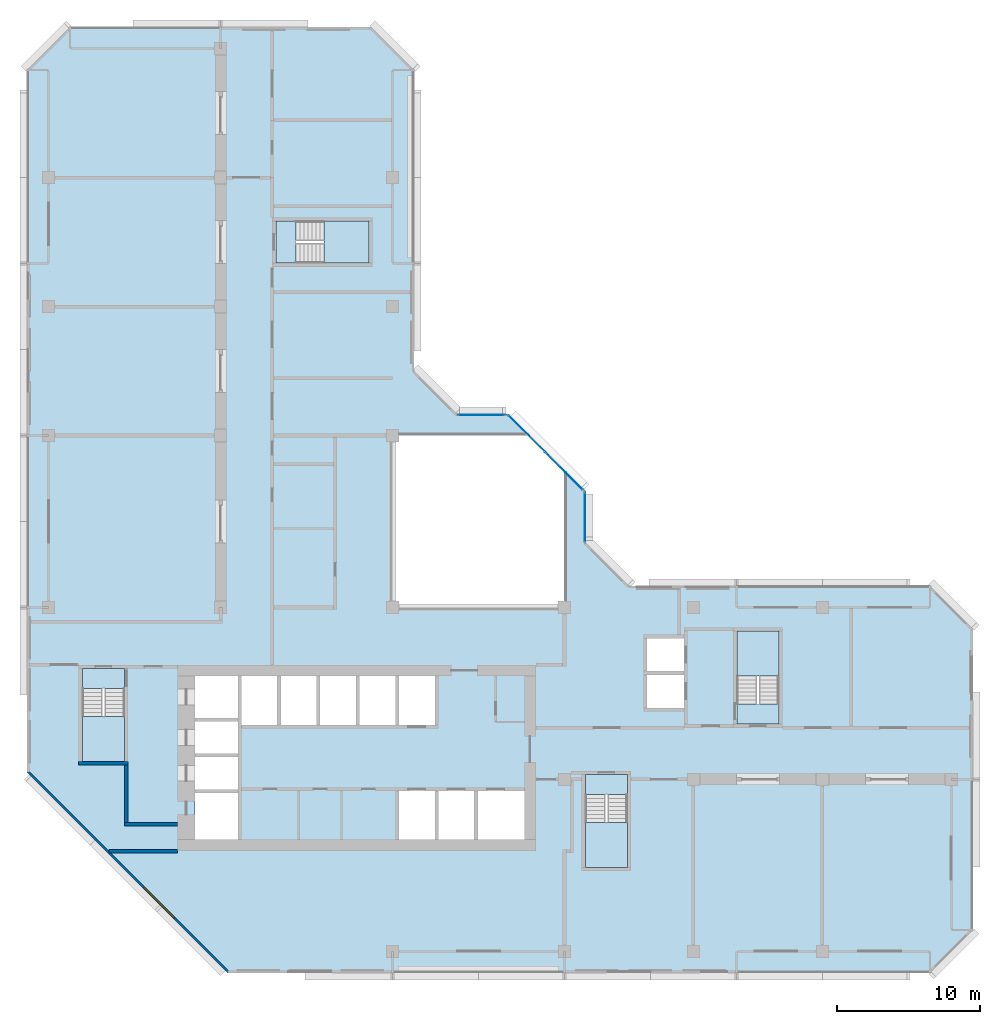
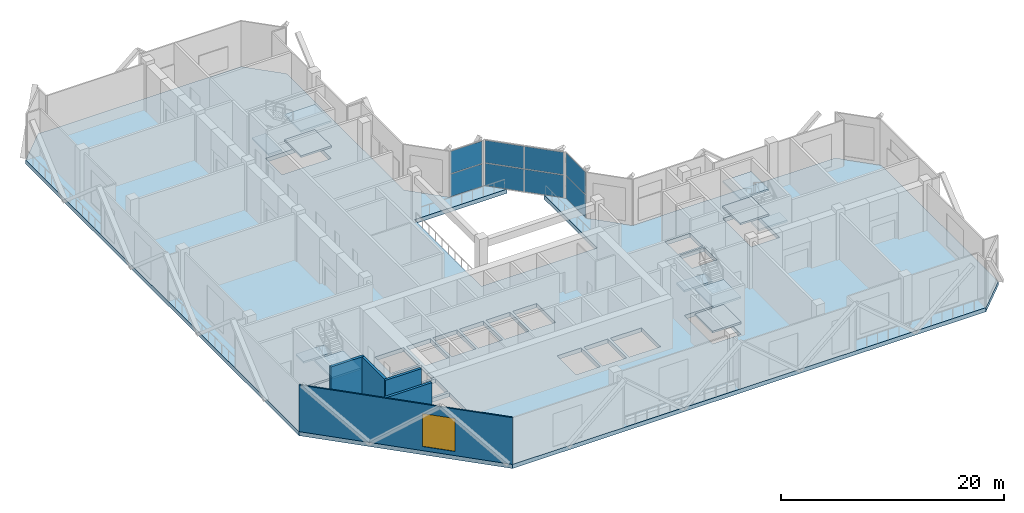
# One storey, part 3 of 11: 13 slabs, 8 plates, 5 walls, 1 window, 1 opening, 7 elements without a shape of their own.
"""IFC4 building model written with IfcOpenShell, lengths in metres."""

from ifc_helpers import new_model, si_unit, direction, frame, frame_2d, origin, origin_2d, place, context, subcontext, project, spatial, polyline, rectangle, outline, extrude, material, layer, layer_set, type_object, element, fill, aggregate, save


model = new_model("IFC4")

# Units and contexts
model_context = context("Model", 3, precision=1e-05, world=origin(), true_north=direction((0.0, 1.0)))
body_context = subcontext(model_context, "Body", "Model", "MODEL_VIEW")
ifc_project = project(units=[si_unit("LENGTHUNIT", "METRE"), si_unit("AREAUNIT", "SQUARE_METRE"), si_unit("VOLUMEUNIT", "CUBIC_METRE"), si_unit("PLANEANGLEUNIT", "RADIAN"), si_unit("MASSUNIT", "GRAM", prefix="KILO")], contexts=[model_context])

# Site, building, storey
site_placement = place(None, origin())
site = spatial("IfcSite", under=ifc_project, at=site_placement, CompositionType="ELEMENT")
building_placement = place(site_placement, origin())
building = spatial("IfcBuilding", under=site, at=building_placement, Name="Chenar Terraces", CompositionType="ELEMENT")
storey_placement = place(building_placement, frame((0.0, 0.0, 206.14990234375)))
storey = spatial("IfcBuildingStorey", under=building, at=storey_placement, Name="L48", CompositionType="ELEMENT", Elevation=206.14990234375)

# Curtain wall, plates
ifc_material_1 = material(Name="Aluminium framed glazing", Category="aluminium")
ifc_layer_1 = layer(ifc_material_1, 0.14990234375)
ifc_layer_set_1 = layer_set([ifc_layer_1], Name="Aluminium framed glazing")
curtain_wall_type = type_object("IfcCurtainWallType", Name="Atrium mid-zone curtain wall", PredefinedType="NOTDEFINED", material=ifc_layer_set_1)
placement_1 = place(storey_placement, origin())
curtain_wall_1 = element("IfcCurtainWall", 1, at=placement_1, inside=storey, type_object=curtain_wall_type, Name="Atrium mid-zone curtain wall", PredefinedType="NOTDEFINED")
ifc_material_2 = material(Name="Low emissivity laminated glass, solar control coating", Category="glass")
ifc_layer_2 = layer(ifc_material_2, 0.031982421875)
ifc_layer_set_2 = layer_set([ifc_layer_2], Name="Low emissivity laminated glass, solar control coating")
plate_type = type_object("IfcPlateType", Name="Atrium mid-zone glazing panel 32", PredefinedType="CURTAIN_PANEL", material=ifc_layer_set_2)
plate_1_placement = place(storey_placement, frame((37.425048828125, 30.300048828125, 0.06982421875), z_axis=(0.0, 0.0, 1.0), x_axis=(0.0, 1.0, 0.0)))
plate_1 = element("IfcPlate", 2, at=plate_1_placement, type_object=plate_type, Name="CW7-1 panel 1.1", PredefinedType="CURTAIN_PANEL", context=body_context, shape_type="SweptSolid", body=[
    extrude(rectangle(XDim=3.4599609375, YDim=0.031982421875, at=origin_2d()), origin(), (0.0, 0.0, 1.0), 2.445068359375),
])
plate_2_placement = place(storey_placement, frame((37.425048828125, 30.300048828125, 2.5849609375), z_axis=(0.0, 0.0, 1.0), x_axis=(0.0, 1.0, 0.0)))
plate_2 = element("IfcPlate", 3, at=plate_2_placement, type_object=plate_type, Name="CW7-1 panel 1.2", PredefinedType="CURTAIN_PANEL", context=body_context, shape_type="SweptSolid", body=[
    extrude(rectangle(XDim=3.4599609375, YDim=0.031982421875, at=origin_2d()), origin(), (0.0, 0.0, 1.0), 2.445068359375),
])
aggregate(curtain_wall_1, [plate_1, plate_2])

curtain_wall_2 = element("IfcCurtainWall", 4, at=placement_1, inside=storey, type_object=curtain_wall_type, Name="Atrium mid-zone curtain wall", PredefinedType="NOTDEFINED")
plate_3_placement = place(storey_placement, frame((35.978515625, 33.515380859375, 0.06982421875), z_axis=(0.0, 0.0, 1.0), x_axis=(-0.707106781187, 0.707106781187, 0.0)))
plate_3 = element("IfcPlate", 5, at=plate_3_placement, type_object=plate_type, Name="CW7-2 panel 1.1", PredefinedType="CURTAIN_PANEL", context=body_context, shape_type="SweptSolid", body=[
    extrude(rectangle(XDim=3.61328125, YDim=0.031982421875, at=origin_2d()), origin(), (0.0, 0.0, 1.0), 2.445068359375),
])
plate_4_placement = place(storey_placement, frame((35.978515625, 33.515380859375, 2.5849609375), z_axis=(0.0, 0.0, 1.0), x_axis=(-0.707106781187, 0.707106781187, 0.0)))
plate_4 = element("IfcPlate", 6, at=plate_4_placement, type_object=plate_type, Name="CW7-2 panel 1.2", PredefinedType="CURTAIN_PANEL", context=body_context, shape_type="SweptSolid", body=[
    extrude(rectangle(XDim=3.61328125, YDim=0.031982421875, at=origin_2d()), origin(), (0.0, 0.0, 1.0), 2.445068359375),
])
plate_5_placement = place(storey_placement, frame((33.3740234375, 36.119873046875, 0.06982421875), z_axis=(0.0, 0.0, 1.0), x_axis=(-0.707106781187, 0.707106781187, 0.0)))
plate_5 = element("IfcPlate", 7, at=plate_5_placement, type_object=plate_type, Name="CW7-2 panel 2.1", PredefinedType="CURTAIN_PANEL", context=body_context, shape_type="SweptSolid", body=[
    extrude(rectangle(XDim=3.61328125, YDim=0.031982421875, at=origin_2d()), origin(), (0.0, 0.0, 1.0), 2.445068359375),
])
plate_6_placement = place(storey_placement, frame((33.3740234375, 36.119873046875, 2.5849609375), z_axis=(0.0, 0.0, 1.0), x_axis=(-0.707106781187, 0.707106781187, 0.0)))
plate_6 = element("IfcPlate", 8, at=plate_6_placement, type_object=plate_type, Name="CW7-2 panel 2.2", PredefinedType="CURTAIN_PANEL", context=body_context, shape_type="SweptSolid", body=[
    extrude(rectangle(XDim=3.61328125, YDim=0.031982421875, at=origin_2d()), origin(), (0.0, 0.0, 1.0), 2.445068359375),
])
aggregate(curtain_wall_2, [plate_3, plate_4, plate_5, plate_6])

curtain_wall_3 = element("IfcCurtainWall", 9, at=placement_1, inside=storey, type_object=curtain_wall_type, Name="Atrium mid-zone curtain wall", PredefinedType="NOTDEFINED")
plate_7_placement = place(storey_placement, frame((30.199951171875, 37.425048828125, 0.06982421875), z_axis=(0.0, 0.0, 1.0), x_axis=(-1.0, 0.0, 0.0)))
plate_7 = element("IfcPlate", 10, at=plate_7_placement, type_object=plate_type, Name="CW7-3 panel 1.1", PredefinedType="CURTAIN_PANEL", context=body_context, shape_type="SweptSolid", body=[
    extrude(rectangle(XDim=3.260009765625, YDim=0.031982421875, at=origin_2d()), origin(), (0.0, 0.0, 1.0), 2.445068359375),
])
plate_8_placement = place(storey_placement, frame((30.199951171875, 37.425048828125, 2.5849609375), z_axis=(0.0, 0.0, 1.0), x_axis=(-1.0, 0.0, 0.0)))
plate_8 = element("IfcPlate", 11, at=plate_8_placement, type_object=plate_type, Name="CW7-3 panel 1.2", PredefinedType="CURTAIN_PANEL", context=body_context, shape_type="SweptSolid", body=[
    extrude(rectangle(XDim=3.260009765625, YDim=0.031982421875, at=origin_2d()), origin(), (0.0, 0.0, 1.0), 2.445068359375),
])
aggregate(curtain_wall_3, [plate_7, plate_8])

# Stair, slabs
ifc_material_3 = material(Name="Reinforced concrete C40/50", Category="concrete")
stair_type = type_object("IfcStairType", Name="Core stair 1400 half-turn", PredefinedType="HALF_TURN_STAIR", material=ifc_material_3)
stair_1 = element("IfcStair", 12, at=placement_1, inside=storey, type_object=stair_type, Name="L48 Stair 1", PredefinedType="HALF_TURN_STAIR")
ifc_material_4 = material(Name="Reinforced concrete C40/50", Category="concrete")
ifc_layer_3 = layer(ifc_material_4, 0.199951171875)
ifc_layer_set_3 = layer_set([ifc_layer_3], Name="Reinforced concrete C40/50")
slab_type_1 = type_object("IfcSlabType", Name="Core stair landing 200", PredefinedType="LANDING", material=ifc_layer_set_3)
placement_2 = place(storey_placement, frame((0.0, 0.0, 1.175048828125)))
slab_1 = element("IfcSlab", 13, at=placement_2, type_object=slab_type_1, Name="ST1 landing 1", PredefinedType="LANDING", context=body_context, shape_type="SweptSolid", body=[
    extrude(outline(polyline([(2.35009765625, 16.389892578125), (2.35009765625, 13.25), (5.300048828125, 13.25), (5.300048828125, 16.389892578125), (2.35009765625, 16.389892578125)])), origin(), (0.0, 0.0, 1.0), 0.199951171875),
])
placement_3 = place(storey_placement, frame((0.0, 0.0, 2.550048828125)))
slab_2 = element("IfcSlab", 14, at=placement_3, type_object=slab_type_1, Name="ST1 landing 2", PredefinedType="LANDING", context=body_context, shape_type="SweptSolid", body=[
    extrude(outline(polyline([(2.35009765625, 19.75), (2.35009765625, 18.35009765625), (5.300048828125, 18.35009765625), (5.300048828125, 19.75), (2.35009765625, 19.75)])), origin(), (0.0, 0.0, 1.0), 0.199951171875),
])
placement_4 = place(storey_placement, frame((0.0, 0.0, 3.925048828125)))
slab_3 = element("IfcSlab", 15, at=placement_4, type_object=slab_type_1, Name="ST1 landing 3", PredefinedType="LANDING", context=body_context, shape_type="SweptSolid", body=[
    extrude(outline(polyline([(2.35009765625, 16.389892578125), (2.35009765625, 13.25), (5.300048828125, 13.25), (5.300048828125, 16.389892578125), (2.35009765625, 16.389892578125)])), origin(), (0.0, 0.0, 1.0), 0.199951171875),
])
aggregate(stair_1, [slab_1, slab_2, slab_3])

stair_2 = element("IfcStair", 16, at=placement_1, inside=storey, type_object=stair_type, Name="L48 Stair 2", PredefinedType="HALF_TURN_STAIR")
slab_4 = element("IfcSlab", 17, at=placement_2, type_object=slab_type_1, Name="ST2 landing 1", PredefinedType="LANDING", context=body_context, shape_type="SweptSolid", body=[
    extrude(outline(polyline([(37.449951171875, 8.989990234375), (37.449951171875, 5.85009765625), (40.39990234375, 5.85009765625), (40.39990234375, 8.989990234375), (37.449951171875, 8.989990234375)])), origin(), (0.0, 0.0, 1.0), 0.199951171875),
])
slab_5 = element("IfcSlab", 18, at=placement_3, type_object=slab_type_1, Name="ST2 landing 2", PredefinedType="LANDING", context=body_context, shape_type="SweptSolid", body=[
    extrude(outline(polyline([(37.449951171875, 12.35009765625), (37.449951171875, 10.949951171875), (40.39990234375, 10.949951171875), (40.39990234375, 12.35009765625), (37.449951171875, 12.35009765625)])), origin(), (0.0, 0.0, 1.0), 0.199951171875),
])
slab_6 = element("IfcSlab", 19, at=placement_4, type_object=slab_type_1, Name="ST2 landing 3", PredefinedType="LANDING", context=body_context, shape_type="SweptSolid", body=[
    extrude(outline(polyline([(37.449951171875, 8.989990234375), (37.449951171875, 5.85009765625), (40.39990234375, 5.85009765625), (40.39990234375, 8.989990234375), (37.449951171875, 8.989990234375)])), origin(), (0.0, 0.0, 1.0), 0.199951171875),
])
aggregate(stair_2, [slab_4, slab_5, slab_6])

stair_3 = element("IfcStair", 20, at=placement_1, inside=storey, type_object=stair_type, Name="L48 Stair 3", PredefinedType="HALF_TURN_STAIR")
slab_7 = element("IfcSlab", 21, at=placement_2, type_object=slab_type_1, Name="ST3 landing 1", PredefinedType="LANDING", context=body_context, shape_type="SweptSolid", body=[
    extrude(outline(polyline([(50.97509765625, 19.2099609375), (50.97509765625, 22.35009765625), (48.02490234375, 22.35009765625), (48.02490234375, 19.2099609375), (50.97509765625, 19.2099609375)])), origin(), (0.0, 0.0, 1.0), 0.199951171875),
])
slab_8 = element("IfcSlab", 22, at=placement_3, type_object=slab_type_1, Name="ST3 landing 2", PredefinedType="LANDING", context=body_context, shape_type="SweptSolid", body=[
    extrude(outline(polyline([(50.97509765625, 15.85009765625), (50.97509765625, 17.25), (48.02490234375, 17.25), (48.02490234375, 15.85009765625), (50.97509765625, 15.85009765625)])), origin(), (0.0, 0.0, 1.0), 0.199951171875),
])
slab_9 = element("IfcSlab", 23, at=placement_4, type_object=slab_type_1, Name="ST3 landing 3", PredefinedType="LANDING", context=body_context, shape_type="SweptSolid", body=[
    extrude(outline(polyline([(50.97509765625, 19.2099609375), (50.97509765625, 22.35009765625), (48.02490234375, 22.35009765625), (48.02490234375, 19.2099609375), (50.97509765625, 19.2099609375)])), origin(), (0.0, 0.0, 1.0), 0.199951171875),
])
aggregate(stair_3, [slab_7, slab_8, slab_9])

stair_4 = element("IfcStair", 24, at=placement_1, inside=storey, type_object=stair_type, Name="L48 Stair 4", PredefinedType="HALF_TURN_STAIR")
slab_10 = element("IfcSlab", 25, at=placement_2, type_object=slab_type_1, Name="ST4 landing 1", PredefinedType="LANDING", context=body_context, shape_type="SweptSolid", body=[
    extrude(outline(polyline([(19.2099609375, 48.02490234375), (22.35009765625, 48.02490234375), (22.35009765625, 50.97509765625), (19.2099609375, 50.97509765625), (19.2099609375, 48.02490234375)])), origin(), (0.0, 0.0, 1.0), 0.199951171875),
])
slab_11 = element("IfcSlab", 26, at=placement_3, type_object=slab_type_1, Name="ST4 landing 2", PredefinedType="LANDING", context=body_context, shape_type="SweptSolid", body=[
    extrude(outline(polyline([(15.85009765625, 48.02490234375), (17.25, 48.02490234375), (17.25, 50.97509765625), (15.85009765625, 50.97509765625), (15.85009765625, 48.02490234375)])), origin(), (0.0, 0.0, 1.0), 0.199951171875),
])
slab_12 = element("IfcSlab", 27, at=placement_4, type_object=slab_type_1, Name="ST4 landing 3", PredefinedType="LANDING", context=body_context, shape_type="SweptSolid", body=[
    extrude(outline(polyline([(19.2099609375, 48.02490234375), (22.35009765625, 48.02490234375), (22.35009765625, 50.97509765625), (19.2099609375, 50.97509765625), (19.2099609375, 48.02490234375)])), origin(), (0.0, 0.0, 1.0), 0.199951171875),
])
aggregate(stair_4, [slab_10, slab_11, slab_12])

# Slab
ifc_material_5 = material(Name="Concrete C40/50", Category="concrete")
ifc_layer_4 = layer(ifc_material_5, 0.449951171875)
ifc_layer_set_4 = layer_set([ifc_layer_4], Name="Concrete C40/50")
slab_type_2 = type_object("IfcSlabType", Name="Floor slab 450 Concrete C40/50", PredefinedType="FLOOR", material=ifc_layer_set_4)
slab_13_placement = place(storey_placement, frame((0.0, 0.0, -0.449951171875)))
element("IfcSlab", 28, at=slab_13_placement, inside=storey, type_object=slab_type_2, Name="Floor slab L48", PredefinedType="FLOOR", context=body_context, shape_type="SweptSolid", body=[
    extrude(outline(polyline([(64.5, 22.5), (64.5, 1.5), (61.5, -1.5), (12.5, -1.5), (-1.5, 12.5), (-1.5, 61.5), (1.5, 64.5), (22.5, 64.5), (25.5, 61.5), (25.5, 40.5), (28.5, 37.5), (32.10009765625, 37.5), (33.60009765625, 36.0), (24.0, 36.0), (24.0, 24.0), (36.0, 24.0), (36.0, 33.60009765625), (37.5, 32.10009765625), (37.5, 28.5), (40.5, 25.5), (61.5, 25.5), (64.5, 22.5)]), holes=[polyline([(13.199951171875, 11.050048828125), (10.199951171875, 11.050048828125), (10.199951171875, 7.800048828125), (13.199951171875, 7.800048828125), (13.199951171875, 11.050048828125)]), polyline([(13.199951171875, 13.550048828125), (10.199951171875, 13.550048828125), (10.199951171875, 11.300048828125), (13.199951171875, 11.300048828125), (13.199951171875, 13.550048828125)]), polyline([(13.199951171875, 16.050048828125), (10.199951171875, 16.050048828125), (10.199951171875, 13.800048828125), (13.199951171875, 13.800048828125), (13.199951171875, 16.050048828125)]), polyline([(2.35009765625, 13.25), (5.300048828125, 13.25), (5.300048828125, 18.35009765625), (2.35009765625, 18.35009765625), (2.35009765625, 13.25)]), polyline([(15.949951171875, 19.199951171875), (13.449951171875, 19.199951171875), (13.449951171875, 15.800048828125), (15.949951171875, 15.800048828125), (15.949951171875, 19.199951171875)]), polyline([(18.699951171875, 19.199951171875), (16.199951171875, 19.199951171875), (16.199951171875, 15.800048828125), (18.699951171875, 15.800048828125), (18.699951171875, 19.199951171875)]), polyline([(21.449951171875, 19.199951171875), (18.949951171875, 19.199951171875), (18.949951171875, 15.800048828125), (21.449951171875, 15.800048828125), (21.449951171875, 19.199951171875)]), polyline([(24.199951171875, 15.800048828125), (24.199951171875, 19.199951171875), (21.699951171875, 19.199951171875), (21.699951171875, 15.800048828125), (24.199951171875, 15.800048828125)]), polyline([(13.199951171875, 16.300048828125), (13.199951171875, 19.199951171875), (10.199951171875, 19.199951171875), (10.199951171875, 16.300048828125), (13.199951171875, 16.300048828125)]), polyline([(22.35009765625, 48.02490234375), (22.35009765625, 50.97509765625), (17.25, 50.97509765625), (17.25, 48.02490234375), (22.35009765625, 48.02490234375)]), polyline([(37.449951171875, 5.85009765625), (40.39990234375, 5.85009765625), (40.39990234375, 10.949951171875), (37.449951171875, 10.949951171875), (37.449951171875, 5.85009765625)]), polyline([(26.949951171875, 11.199951171875), (24.449951171875, 11.199951171875), (24.449951171875, 7.800048828125), (26.949951171875, 7.800048828125), (26.949951171875, 11.199951171875)]), polyline([(29.699951171875, 7.800048828125), (29.699951171875, 11.199951171875), (27.199951171875, 11.199951171875), (27.199951171875, 7.800048828125), (29.699951171875, 7.800048828125)]), polyline([(33.199951171875, 7.800048828125), (33.199951171875, 11.199951171875), (29.949951171875, 11.199951171875), (29.949951171875, 7.800048828125), (33.199951171875, 7.800048828125)]), polyline([(26.949951171875, 19.199951171875), (24.449951171875, 19.199951171875), (24.449951171875, 15.800048828125), (26.949951171875, 15.800048828125), (26.949951171875, 19.199951171875)]), polyline([(44.35009765625, 19.300048828125), (41.75, 19.300048828125), (41.75, 17.0), (44.35009765625, 17.0), (44.35009765625, 19.300048828125)]), polyline([(50.97509765625, 22.35009765625), (48.02490234375, 22.35009765625), (48.02490234375, 17.25), (50.97509765625, 17.25), (50.97509765625, 22.35009765625)]), polyline([(44.35009765625, 19.550048828125), (44.35009765625, 21.85009765625), (41.75, 21.85009765625), (41.75, 19.550048828125), (44.35009765625, 19.550048828125)])]), origin(), (0.0, 0.0, 1.0), 0.449951171875),
])

# Walls
ifc_material_6 = material(Name="Concrete C60/75", Category="concrete")
ifc_layer_5 = layer(ifc_material_6, 0.25)
ifc_layer_set_5 = layer_set([ifc_layer_5], Name="Concrete C60/75")
wall_type_1 = type_object("IfcWallType", Name="Core wall 250 Concrete C60/75", PredefinedType="SHEAR", material=ifc_layer_set_5)
wall_1_placement = place(storey_placement, frame((2.10009765625, 13.125, 0.0), z_axis=(0.0, 0.0, 1.0), x_axis=(1.0, 0.0, 0.0)))
element("IfcWall", 29, at=wall_1_placement, inside=storey, type_object=wall_type_1, Name="Core wall ST1_S L48", PredefinedType="SHEAR", context=body_context, shape_type="SweptSolid", body=[
    extrude(rectangle(XDim=3.449951171875, YDim=0.25, at=frame_2d((1.72509765625, 0.0))), origin(), (0.0, 0.0, 1.0), 5.5),
])
wall_2_placement = place(storey_placement, frame((5.300048828125, 8.875, 0.0), z_axis=(0.0, 0.0, 1.0), x_axis=(1.0, 0.0, 0.0)))
element("IfcWall", 30, at=wall_2_placement, inside=storey, type_object=wall_type_1, Name="Core wall FFL_S L48", PredefinedType="SHEAR", context=body_context, shape_type="SweptSolid", body=[
    extrude(rectangle(XDim=3.699951171875, YDim=0.25, at=frame_2d((1.85009765625, 0.0))), origin(), (0.0, 0.0, 1.0), 5.5),
])
wall_3_placement = place(storey_placement, frame((5.425048828125, 9.0, 0.0), z_axis=(0.0, 0.0, 1.0), x_axis=(0.0, 1.0, 0.0)))
element("IfcWall", 31, at=wall_3_placement, inside=storey, type_object=wall_type_1, Name="Core wall FFL_W L48", PredefinedType="SHEAR", context=body_context, shape_type="SweptSolid", body=[
    extrude(rectangle(XDim=4.0, YDim=0.25, at=frame_2d((2.0, 0.0))), origin(), (0.0, 0.0, 1.0), 5.5),
])
ifc_material_7 = material(Name="Fire-board and steel stud wall with mineral wool", Category="steel")
ifc_layer_6 = layer(ifc_material_7, 0.25)
ifc_layer_set_6 = layer_set([ifc_layer_6], Name="Fire-board and steel stud wall with mineral wool")
wall_type_2 = type_object("IfcWallType", Name="Refuge compartment wall 250", PredefinedType="PARTITIONING", material=ifc_layer_set_6)
wall_4_placement = place(storey_placement, frame((4.2109375, 7.0, 0.0), z_axis=(0.0, 0.0, 1.0), x_axis=(1.0, 0.0, 0.0)))
element("IfcWall", 32, at=wall_4_placement, inside=storey, type_object=wall_type_2, Name="Partition L48-006", PredefinedType="PARTITIONING", context=body_context, shape_type="SweptSolid", body=[
    extrude(rectangle(XDim=4.7890625, YDim=0.25, at=frame_2d((2.39453125, 0.0))), origin(), (0.0, 0.0, 1.0), 5.10009765625),
])

# Wall, opening, window
ifc_material_8 = material(Name="Terracotta cladding on insulated backing", Category="masonry")
ifc_layer_7 = layer(ifc_material_8, 0.14990234375)
ifc_layer_set_7 = layer_set([ifc_layer_7], Name="Terracotta cladding on insulated backing")
wall_type_3 = type_object("IfcWallType", Name="Terracotta rainscreen wall 150", PredefinedType="SOLIDWALL", material=ifc_layer_set_7)
wall_5_placement = place(storey_placement, frame((-1.447021484375, 12.552978515625, 0.0), z_axis=(0.0, 0.0, 1.0), x_axis=(0.707106781187, -0.707106781187, 0.0)))
wall_5 = element("IfcWall", 33, at=wall_5_placement, inside=storey, type_object=wall_type_3, Name="Terracotta rainscreen wall", PredefinedType="SOLIDWALL", context=body_context, shape_type="SweptSolid", body=[
    extrude(rectangle(XDim=19.799072265625, YDim=0.14990234375, at=frame_2d((9.8994140625, 0.0))), origin(), (0.0, 0.0, 1.0), 5.10009765625),
])
opening_placement = place(wall_5_placement, frame((11.452880859375, 0.0, 0.449951171875)))
opening = element("IfcOpeningElement", 34, at=opening_placement, cuts=wall_5, Name="Opening W300x360", PredefinedType="OPENING", context=body_context, shape_type="SweptSolid", body=[
    extrude(rectangle(XDim=3.0, YDim=3.60009765625, at=frame_2d((1.5, 1.800048828125))), frame((0.0, 0.0849609375, 0.0), z_axis=(0.0, -1.0, 0.0), x_axis=(1.0, 0.0, 0.0)), (0.0, 0.0, 1.0), 0.169921875),
])
ifc_material_9 = material(Name="Low emissivity double glazing, aluminium frame", Category="aluminium")
window_type = type_object("IfcWindowType", Name="Fixed light 3000 x 3600", PartitioningType="SINGLE_PANEL", PredefinedType="WINDOW", material=ifc_material_9)
window_placement = place(opening_placement, origin())
window = element("IfcWindow", 35, at=window_placement, inside=storey, type_object=window_type, Name="Window", OverallHeight=3.60009765625, OverallWidth=3.0, PartitioningType="SINGLE_PANEL", PredefinedType="WINDOW", context=body_context, shape_type="SweptSolid", body=[
    extrude(rectangle(XDim=3.0, YDim=3.60009765625, at=frame_2d((1.5, 1.800048828125))), frame((0.0, 0.030029296875, 0.0), z_axis=(0.0, -1.0, 0.0), x_axis=(1.0, 0.0, 0.0)), (0.0, 0.0, 1.0), 0.06005859375),
])
fill(opening, window)

save(model, "model.ifc")
